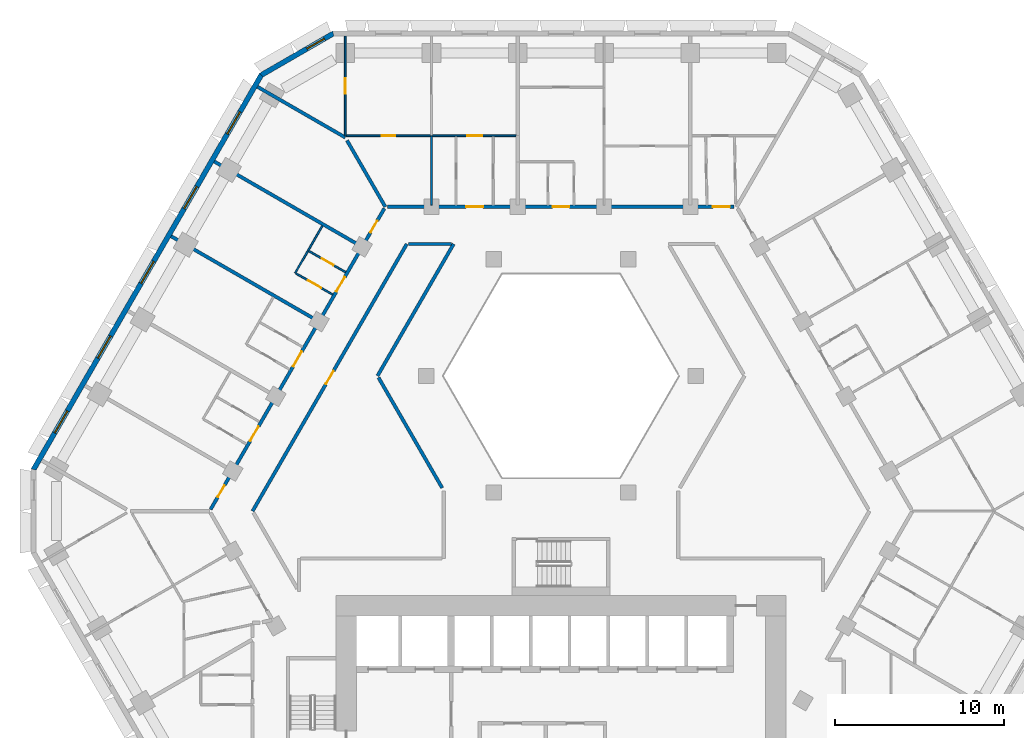
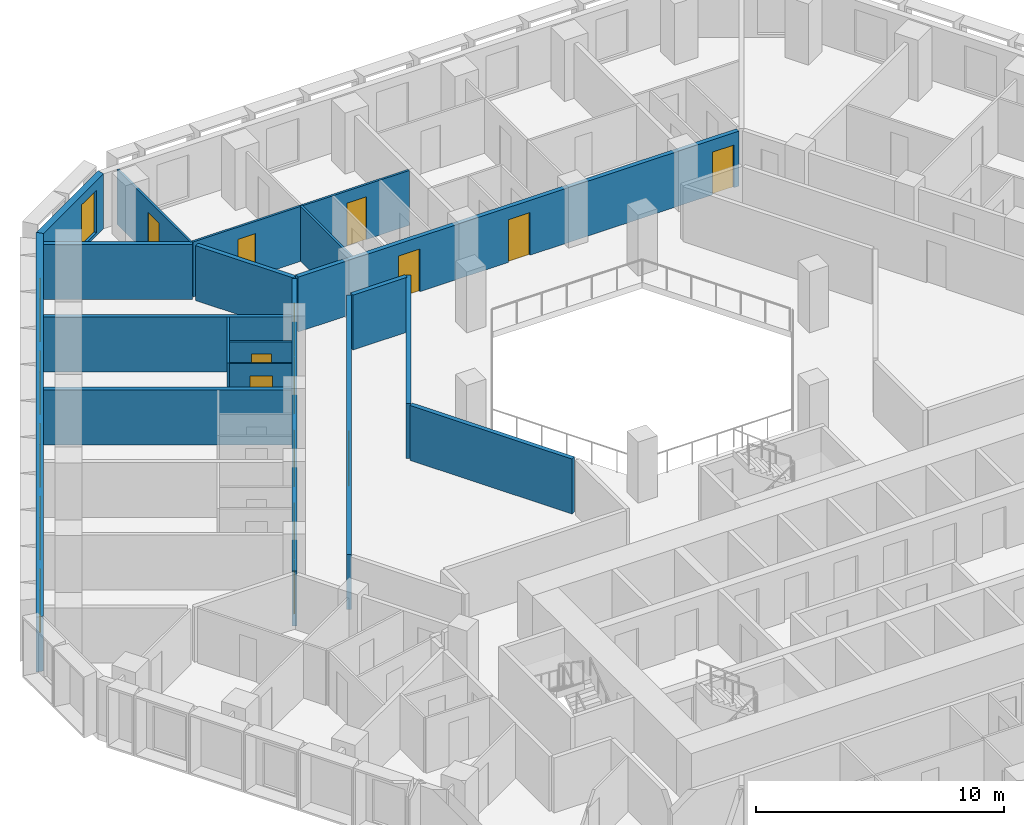
# One storey, part 8 of 16: 18 walls, 14 doors, 6 windows, 20 openings.
"""IFC4 building model written with IfcOpenShell, lengths in metres."""

from ifc_helpers import new_model, si_unit, direction, frame, frame_2d, origin, place, context, subcontext, project, spatial, polyline, rectangle, outline, extrude, material, layer, layer_set, type_object, element, fill, save


model = new_model("IFC4")

# Units and contexts
model_context = context("Model", 3, precision=1e-05, world=origin(), true_north=direction((0.0, 1.0)))
body_context = subcontext(model_context, "Body", "Model", "MODEL_VIEW")
ifc_project = project(units=[si_unit("LENGTHUNIT", "METRE"), si_unit("AREAUNIT", "SQUARE_METRE"), si_unit("VOLUMEUNIT", "CUBIC_METRE"), si_unit("PLANEANGLEUNIT", "RADIAN"), si_unit("MASSUNIT", "GRAM", prefix="KILO")], contexts=[model_context])

# Site, building, storey
site_placement = place(None, origin())
site = spatial("IfcSite", under=ifc_project, at=site_placement, CompositionType="ELEMENT")
building_placement = place(site_placement, origin())
building = spatial("IfcBuilding", under=site, at=building_placement, Name="Beryl Residences", CompositionType="ELEMENT")
storey_placement = place(building_placement, frame((0.0, 0.0, 38.39990234375)))
storey = spatial("IfcBuildingStorey", under=building, at=storey_placement, Name="L11", CompositionType="ELEMENT", Elevation=38.39990234375)

# Wall, opening, window
ifc_material_1 = material(Name="Composite metal panel with mineral wool insulation")
ifc_layer_1 = layer(ifc_material_1, 0.300048828125)
ifc_layer_set_1 = layer_set([ifc_layer_1], Name="ES1 pale metal composite panel wall 300 mm")
wall_type_1 = type_object("IfcWallType", Name="ES1 pale metal composite panel wall 300 mm", PredefinedType="SOLIDWALL", material=ifc_layer_set_1)
wall_1_placement = place(storey_placement, frame((-13.43505859375, 28.27001953125, 0.0), z_axis=(0.0, 0.0, 1.0), x_axis=(-0.866010750942, -0.50002537861, 0.0)))
wall_1 = element("IfcWall", 1, at=wall_1_placement, inside=storey, type_object=wall_type_1, Name="ES1 external wall L11 N-NW", PredefinedType="SOLIDWALL", context=body_context, shape_type="SweptSolid", body=[
    extrude(outline(polyline([(0.0, -0.14990234375), (4.999755859375, -0.14990234375), (4.91943359375, 0.14990234375), (0.080322265625, 0.14990234375), (0.0, -0.14990234375)])), origin(), (0.0, 0.0, 1.0), 2.7001953125),
])
opening_1_placement = place(wall_1_placement, frame((0.64990234375, 0.0, 0.14990234375)))
opening_1 = element("IfcOpeningElement", 2, at=opening_1_placement, cuts=wall_1, Name="Opening W2", PredefinedType="OPENING", context=body_context, shape_type="SweptSolid", body=[
    extrude(rectangle(XDim=1.199951171875, YDim=2.10009765625, at=frame_2d((0.60009765625, 1.050048828125))), frame((0.0, 0.159912109375, 0.0), z_axis=(0.0, -1.0, 0.0), x_axis=(1.0, 0.0, 0.0)), (0.0, 0.0, 1.0), 0.320068359375),
])
ifc_material_2 = material(Name="Aluminium and clear glass", Category="aluminium")
window_type_1 = type_object("IfcWindowType", Name="W2 chamfer window 1200 x 2100 mm", PartitioningType="SINGLE_PANEL", PredefinedType="WINDOW", material=ifc_material_2)
window_1_placement = place(opening_1_placement, origin())
window_1 = element("IfcWindow", 3, at=window_1_placement, inside=storey, type_object=window_type_1, Name="W2 window L11 N-NW 1", OverallHeight=2.10009765625, OverallWidth=1.199951171875, PartitioningType="SINGLE_PANEL", PredefinedType="WINDOW", context=body_context, shape_type="SweptSolid", body=[
    extrude(rectangle(XDim=1.199951171875, YDim=2.10009765625, at=frame_2d((0.60009765625, 1.050048828125))), frame((0.0, 0.030029296875, 0.0), z_axis=(0.0, -1.0, 0.0), x_axis=(1.0, 0.0, 0.0)), (0.0, 0.0, 1.0), 0.06005859375),
])
fill(opening_1, window_1)

# Wall, openings, windows
wall_2_placement = place(storey_placement, frame((-17.7099609375, 25.824951171875, 0.0), z_axis=(0.0, 0.0, 1.0), x_axis=(-0.500001938803, -0.866024284413, 0.0)))
wall_2 = element("IfcWall", 4, at=wall_2_placement, inside=storey, type_object=wall_type_1, Name="ES1 external wall L11 NW", PredefinedType="SOLIDWALL", context=body_context, shape_type="SweptSolid", body=[
    extrude(outline(polyline([(0.0, -0.14990234375), (27.02001953125, -0.14990234375), (26.939697265625, 0.14990234375), (0.080322265625, 0.14990234375), (0.0, -0.14990234375)])), origin(), (0.0, 0.0, 1.0), 2.7001953125),
])
opening_2_placement = place(wall_2_placement, frame((2.552978515625, 0.0, 0.14990234375)))
opening_2 = element("IfcOpeningElement", 5, at=opening_2_placement, cuts=wall_2, Name="Opening W1", PredefinedType="OPENING", context=body_context, shape_type="SweptSolid", body=[
    extrude(rectangle(XDim=1.5, YDim=2.10009765625, at=frame_2d((0.75, 1.050048828125))), frame((0.0, 0.159912109375, 0.0), z_axis=(0.0, -1.0, 0.0), x_axis=(1.0, 0.0, 0.0)), (0.0, 0.0, 1.0), 0.320068359375),
])
opening_3_placement = place(wall_2_placement, frame((7.657958984375, 0.0, 0.14990234375)))
opening_3 = element("IfcOpeningElement", 6, at=opening_3_placement, cuts=wall_2, Name="Opening W1", PredefinedType="OPENING", context=body_context, shape_type="SweptSolid", body=[
    extrude(rectangle(XDim=1.5, YDim=2.10009765625, at=frame_2d((0.75, 1.050048828125))), frame((0.0, 0.159912109375, 0.0), z_axis=(0.0, -1.0, 0.0), x_axis=(1.0, 0.0, 0.0)), (0.0, 0.0, 1.0), 0.320068359375),
])
opening_4_placement = place(wall_2_placement, frame((12.760986328125, 0.0, 0.14990234375)))
opening_4 = element("IfcOpeningElement", 7, at=opening_4_placement, cuts=wall_2, Name="Opening W1", PredefinedType="OPENING", context=body_context, shape_type="SweptSolid", body=[
    extrude(rectangle(XDim=1.5, YDim=2.10009765625, at=frame_2d((0.75, 1.050048828125))), frame((0.0, 0.159912109375, 0.0), z_axis=(0.0, -1.0, 0.0), x_axis=(1.0, 0.0, 0.0)), (0.0, 0.0, 1.0), 0.320068359375),
])
opening_5_placement = place(wall_2_placement, frame((17.864990234375, 0.0, 0.14990234375)))
opening_5 = element("IfcOpeningElement", 8, at=opening_5_placement, cuts=wall_2, Name="Opening W1", PredefinedType="OPENING", context=body_context, shape_type="SweptSolid", body=[
    extrude(rectangle(XDim=1.5, YDim=2.10009765625, at=frame_2d((0.75, 1.050048828125))), frame((0.0, 0.159912109375, 0.0), z_axis=(0.0, -1.0, 0.0), x_axis=(1.0, 0.0, 0.0)), (0.0, 0.0, 1.0), 0.320068359375),
])
opening_6_placement = place(wall_2_placement, frame((22.968994140625, 0.0, 0.14990234375)))
opening_6 = element("IfcOpeningElement", 9, at=opening_6_placement, cuts=wall_2, Name="Opening W1", PredefinedType="OPENING", context=body_context, shape_type="SweptSolid", body=[
    extrude(rectangle(XDim=1.5, YDim=2.10009765625, at=frame_2d((0.75, 1.050048828125))), frame((0.0, 0.159912109375, 0.0), z_axis=(0.0, -1.0, 0.0), x_axis=(1.0, 0.0, 0.0)), (0.0, 0.0, 1.0), 0.320068359375),
])
ifc_material_3 = material(Name="Aluminium and clear glass", Category="aluminium")
window_type_2 = type_object("IfcWindowType", Name="W1 cell window 1500 x 2100 mm", PartitioningType="SINGLE_PANEL", PredefinedType="WINDOW", material=ifc_material_3)
window_2_placement = place(opening_2_placement, origin())
window_2 = element("IfcWindow", 10, at=window_2_placement, inside=storey, type_object=window_type_2, Name="W1 window L11 NW 2", OverallHeight=2.10009765625, OverallWidth=1.5, PartitioningType="SINGLE_PANEL", PredefinedType="WINDOW", context=body_context, shape_type="SweptSolid", body=[
    extrude(rectangle(XDim=1.5, YDim=2.10009765625, at=frame_2d((0.75, 1.050048828125))), frame((0.0, 0.030029296875, 0.0), z_axis=(0.0, -1.0, 0.0), x_axis=(1.0, 0.0, 0.0)), (0.0, 0.0, 1.0), 0.06005859375),
])
fill(opening_2, window_2)
window_3_placement = place(opening_3_placement, origin())
window_3 = element("IfcWindow", 11, at=window_3_placement, inside=storey, type_object=window_type_2, Name="W1 window L11 NW 4", OverallHeight=2.10009765625, OverallWidth=1.5, PartitioningType="SINGLE_PANEL", PredefinedType="WINDOW", context=body_context, shape_type="SweptSolid", body=[
    extrude(rectangle(XDim=1.5, YDim=2.10009765625, at=frame_2d((0.75, 1.050048828125))), frame((0.0, 0.030029296875, 0.0), z_axis=(0.0, -1.0, 0.0), x_axis=(1.0, 0.0, 0.0)), (0.0, 0.0, 1.0), 0.06005859375),
])
fill(opening_3, window_3)
window_4_placement = place(opening_4_placement, origin())
window_4 = element("IfcWindow", 12, at=window_4_placement, inside=storey, type_object=window_type_2, Name="W1 window L11 NW 6", OverallHeight=2.10009765625, OverallWidth=1.5, PartitioningType="SINGLE_PANEL", PredefinedType="WINDOW", context=body_context, shape_type="SweptSolid", body=[
    extrude(rectangle(XDim=1.5, YDim=2.10009765625, at=frame_2d((0.75, 1.050048828125))), frame((0.0, 0.030029296875, 0.0), z_axis=(0.0, -1.0, 0.0), x_axis=(1.0, 0.0, 0.0)), (0.0, 0.0, 1.0), 0.06005859375),
])
fill(opening_4, window_4)
window_5_placement = place(opening_5_placement, origin())
window_5 = element("IfcWindow", 13, at=window_5_placement, inside=storey, type_object=window_type_2, Name="W1 window L11 NW 8", OverallHeight=2.10009765625, OverallWidth=1.5, PartitioningType="SINGLE_PANEL", PredefinedType="WINDOW", context=body_context, shape_type="SweptSolid", body=[
    extrude(rectangle(XDim=1.5, YDim=2.10009765625, at=frame_2d((0.75, 1.050048828125))), frame((0.0, 0.030029296875, 0.0), z_axis=(0.0, -1.0, 0.0), x_axis=(1.0, 0.0, 0.0)), (0.0, 0.0, 1.0), 0.06005859375),
])
fill(opening_5, window_5)
window_6_placement = place(opening_6_placement, origin())
window_6 = element("IfcWindow", 14, at=window_6_placement, inside=storey, type_object=window_type_2, Name="W1 window L11 NW 10", OverallHeight=2.10009765625, OverallWidth=1.5, PartitioningType="SINGLE_PANEL", PredefinedType="WINDOW", context=body_context, shape_type="SweptSolid", body=[
    extrude(rectangle(XDim=1.5, YDim=2.10009765625, at=frame_2d((0.75, 1.050048828125))), frame((0.0, 0.030029296875, 0.0), z_axis=(0.0, -1.0, 0.0), x_axis=(1.0, 0.0, 0.0)), (0.0, 0.0, 1.0), 0.06005859375),
])
fill(opening_6, window_6)

# Wall, opening, door
ifc_material_4 = material(Name="Gypsum board partition on steel studs", Category="steel")
ifc_layer_2 = layer(ifc_material_4, 0.10009765625)
ifc_layer_set_2 = layer_set([ifc_layer_2], Name="PT1 partition 100 mm gypsum board on steel studs")
wall_type_2 = type_object("IfcWallType", Name="PT1 partition 100 mm gypsum board on steel studs", PredefinedType="PARTITIONING", material=ifc_layer_set_2)
wall_3_placement = place(storey_placement, frame((-15.678955078125, 14.06103515625, 0.0), z_axis=(0.0, 0.0, 1.0), x_axis=(0.865916579361, -0.500188442078, 0.0)))
wall_3 = element("IfcWall", 15, at=wall_3_placement, inside=storey, type_object=wall_type_2, Name="Wall PT1 L11 021", PredefinedType="PARTITIONING", context=body_context, shape_type="SweptSolid", body=[
    extrude(rectangle(XDim=2.50927734375, YDim=0.10009765625, at=frame_2d((1.254638671875, 0.0))), origin(), (0.0, 0.0, 1.0), 2.7001953125),
])
opening_7_placement = place(wall_3_placement, frame((0.8291015625, 0.0, 0.0)))
opening_7 = element("IfcOpeningElement", 16, at=opening_7_placement, cuts=wall_3, Name="Opening D0403", PredefinedType="OPENING", context=body_context, shape_type="SweptSolid", body=[
    extrude(rectangle(XDim=0.89990234375, YDim=2.10009765625, at=frame_2d((0.449951171875, 1.050048828125))), frame((0.0, 0.06005859375, 0.0), z_axis=(0.0, -1.0, 0.0), x_axis=(1.0, 0.0, 0.0)), (0.0, 0.0, 1.0), 0.1201171875),
])
ifc_material_5 = material(Name="Timber door leaf", Category="wood")
door_type_1 = type_object("IfcDoorType", Name="D2 room door 900 x 2100 mm", OperationType="SINGLE_SWING_LEFT", PredefinedType="DOOR", material=ifc_material_5)
door_1_placement = place(opening_7_placement, origin())
door_1 = element("IfcDoor", 17, at=door_1_placement, inside=storey, type_object=door_type_1, Name="Door D0403 L11 001", OperationType="SINGLE_SWING_LEFT", OverallHeight=2.10009765625, OverallWidth=0.89990234375, PredefinedType="DOOR", context=body_context, shape_type="SweptSolid", body=[
    extrude(rectangle(XDim=0.89990234375, YDim=2.10009765625, at=frame_2d((0.449951171875, 1.050048828125))), frame((0.0, 0.02490234375, 0.0), z_axis=(0.0, -1.0, 0.0), x_axis=(1.0, 0.0, 0.0)), (0.0, 0.0, 1.0), 0.050048828125),
])
fill(opening_7, door_1)

wall_4_placement = place(storey_placement, frame((-14.9140625, 15.386962890625, 0.0), z_axis=(0.0, 0.0, 1.0), x_axis=(0.865983051302, -0.500073349477, 0.0)))
wall_4 = element("IfcWall", 18, at=wall_4_placement, inside=storey, type_object=wall_type_2, Name="Wall PT1 L11 022", PredefinedType="PARTITIONING", context=body_context, shape_type="SweptSolid", body=[
    extrude(rectangle(XDim=2.50927734375, YDim=0.10009765625, at=frame_2d((1.254638671875, 0.0))), origin(), (0.0, 0.0, 1.0), 2.7001953125),
])
opening_8_placement = place(wall_4_placement, frame((0.8798828125, 0.0, 0.0)))
opening_8 = element("IfcOpeningElement", 19, at=opening_8_placement, cuts=wall_4, Name="Opening D0404", PredefinedType="OPENING", context=body_context, shape_type="SweptSolid", body=[
    extrude(rectangle(XDim=0.800048828125, YDim=2.10009765625, at=frame_2d((0.39990234375, 1.050048828125))), frame((0.0, 0.06005859375, 0.0), z_axis=(0.0, -1.0, 0.0), x_axis=(1.0, 0.0, 0.0)), (0.0, 0.0, 1.0), 0.1201171875),
])
ifc_material_6 = material(Name="Timber door leaf", Category="wood")
door_type_2 = type_object("IfcDoorType", Name="D3 bathroom door 800 x 2100 mm", OperationType="SINGLE_SWING_LEFT", PredefinedType="DOOR", material=ifc_material_6)
door_2_placement = place(opening_8_placement, origin())
door_2 = element("IfcDoor", 20, at=door_2_placement, inside=storey, type_object=door_type_2, Name="Door D0404 L11 001", OperationType="SINGLE_SWING_RIGHT", OverallHeight=2.10009765625, OverallWidth=0.800048828125, PredefinedType="DOOR", context=body_context, shape_type="SweptSolid", body=[
    extrude(rectangle(XDim=0.800048828125, YDim=2.10009765625, at=frame_2d((0.39990234375, 1.050048828125))), frame((0.0, 0.02490234375, 0.0), z_axis=(0.0, -1.0, 0.0), x_axis=(1.0, 0.0, 0.0)), (0.0, 0.0, 1.0), 0.050048828125),
])
fill(opening_8, door_2)

# Wall, openings, doors
wall_5_placement = place(storey_placement, frame((-12.7109375, 22.199951171875, 0.0), z_axis=(0.0, 0.0, 1.0), x_axis=(1.0, 0.0, 0.0)))
wall_5 = element("IfcWall", 21, at=wall_5_placement, inside=storey, type_object=wall_type_2, Name="Wall PT1 L11 037", PredefinedType="PARTITIONING", context=body_context, shape_type="SweptSolid", body=[
    extrude(rectangle(XDim=10.057861328125, YDim=0.10009765625, at=frame_2d((5.02880859375, 0.0))), origin(), (0.0, 0.0, 1.0), 2.7001953125),
])
opening_9_placement = place(wall_5_placement, frame((7.156005859375, 0.0, 0.0)))
opening_9 = element("IfcOpeningElement", 22, at=opening_9_placement, cuts=wall_5, Name="Opening D0472", PredefinedType="OPENING", context=body_context, shape_type="SweptSolid", body=[
    extrude(rectangle(XDim=0.89990234375, YDim=2.10009765625, at=frame_2d((0.449951171875, 1.050048828125))), frame((0.0, 0.06005859375, 0.0), z_axis=(0.0, -1.0, 0.0), x_axis=(1.0, 0.0, 0.0)), (0.0, 0.0, 1.0), 0.1201171875),
])
opening_10_placement = place(wall_5_placement, frame((2.10205078125, 0.0, 0.0)))
opening_10 = element("IfcOpeningElement", 23, at=opening_10_placement, cuts=wall_5, Name="Opening D0475", PredefinedType="OPENING", context=body_context, shape_type="SweptSolid", body=[
    extrude(rectangle(XDim=0.800048828125, YDim=2.10009765625, at=frame_2d((0.39990234375, 1.050048828125))), frame((0.0, 0.06005859375, 0.0), z_axis=(0.0, -1.0, 0.0), x_axis=(1.0, 0.0, 0.0)), (0.0, 0.0, 1.0), 0.1201171875),
])
door_3_placement = place(opening_9_placement, origin())
door_3 = element("IfcDoor", 24, at=door_3_placement, inside=storey, type_object=door_type_1, Name="Door D0472 L11 001", OperationType="SINGLE_SWING_RIGHT", OverallHeight=2.10009765625, OverallWidth=0.89990234375, PredefinedType="DOOR", context=body_context, shape_type="SweptSolid", body=[
    extrude(rectangle(XDim=0.89990234375, YDim=2.10009765625, at=frame_2d((0.449951171875, 1.050048828125))), frame((0.0, 0.02490234375, 0.0), z_axis=(0.0, -1.0, 0.0), x_axis=(1.0, 0.0, 0.0)), (0.0, 0.0, 1.0), 0.050048828125),
])
fill(opening_9, door_3)
door_4_placement = place(opening_10_placement, origin())
door_4 = element("IfcDoor", 25, at=door_4_placement, inside=storey, type_object=door_type_2, Name="Door D0475 L11 001", OperationType="SINGLE_SWING_LEFT", OverallHeight=2.10009765625, OverallWidth=0.800048828125, PredefinedType="DOOR", context=body_context, shape_type="SweptSolid", body=[
    extrude(rectangle(XDim=0.800048828125, YDim=2.10009765625, at=frame_2d((0.39990234375, 1.050048828125))), frame((0.0, 0.02490234375, 0.0), z_axis=(0.0, -1.0, 0.0), x_axis=(1.0, 0.0, 0.0)), (0.0, 0.0, 1.0), 0.050048828125),
])
fill(opening_10, door_4)

# Walls
wall_6_placement = place(storey_placement, frame((-15.722900390625, 14.0869140625, 0.0), z_axis=(0.0, 0.0, 1.0), x_axis=(0.500204249835, 0.865907447969, 0.0)))
element("IfcWall", 26, at=wall_6_placement, inside=storey, type_object=wall_type_2, Name="Wall PT1 L11 041", PredefinedType="PARTITIONING", context=body_context, shape_type="SweptSolid", body=[
    extrude(rectangle(XDim=3.216552734375, YDim=0.10009765625, at=frame_2d((1.6083984375, 0.0))), origin(), (0.0, 0.0, 1.0), 2.7001953125),
])
wall_7_placement = place(storey_placement, frame((-7.656982421875, 18.10009765625, 0.0), z_axis=(0.0, 0.0, 1.0), x_axis=(0.0, 1.0, 0.0)))
element("IfcWall", 27, at=wall_7_placement, inside=storey, type_object=wall_type_2, Name="Wall PT1 L11 055", PredefinedType="PARTITIONING", context=body_context, shape_type="SweptSolid", body=[
    extrude(rectangle(XDim=4.099853515625, YDim=0.10009765625, at=frame_2d((2.0498046875, 0.0))), origin(), (0.0, 0.0, 1.0), 2.7001953125),
])

# Wall, opening, door
wall_8_placement = place(storey_placement, frame((-12.760986328125, 22.199951171875, 0.0), z_axis=(0.0, 0.0, 1.0), x_axis=(0.0, 1.0, 0.0)))
wall_8 = element("IfcWall", 28, at=wall_8_placement, inside=storey, type_object=wall_type_2, Name="Wall PT1 L11 057", PredefinedType="PARTITIONING", context=body_context, shape_type="SweptSolid", body=[
    extrude(rectangle(XDim=5.900146484375, YDim=0.10009765625, at=frame_2d((2.9501953125, 0.0))), origin(), (0.0, 0.0, 1.0), 2.7001953125),
])
opening_11_placement = place(wall_8_placement, frame((2.5, 0.0, 0.0)))
opening_11 = element("IfcOpeningElement", 29, at=opening_11_placement, cuts=wall_8, Name="Opening D0474", PredefinedType="OPENING", context=body_context, shape_type="SweptSolid", body=[
    extrude(rectangle(XDim=0.89990234375, YDim=2.10009765625, at=frame_2d((0.449951171875, 1.050048828125))), frame((0.0, 0.06005859375, 0.0), z_axis=(0.0, -1.0, 0.0), x_axis=(1.0, 0.0, 0.0)), (0.0, 0.0, 1.0), 0.1201171875),
])
door_5_placement = place(opening_11_placement, origin())
door_5 = element("IfcDoor", 30, at=door_5_placement, inside=storey, type_object=door_type_1, Name="Door D0474 L11 001", OperationType="SINGLE_SWING_RIGHT", OverallHeight=2.10009765625, OverallWidth=0.89990234375, PredefinedType="DOOR", context=body_context, shape_type="SweptSolid", body=[
    extrude(rectangle(XDim=0.89990234375, YDim=2.10009765625, at=frame_2d((0.449951171875, 1.050048828125))), frame((0.0, 0.02490234375, 0.0), z_axis=(0.0, -1.0, 0.0), x_axis=(1.0, 0.0, 0.0)), (0.0, 0.0, 1.0), 0.050048828125),
])
fill(opening_11, door_5)

# Walls
ifc_material_7 = material(Name="Acoustic double stud gypsum board wall")
ifc_layer_3 = layer(ifc_material_7, 0.199951171875)
ifc_layer_set_3 = layer_set([ifc_layer_3], Name="PT3 party wall 200 mm acoustic double stud")
wall_type_3 = type_object("IfcWallType", Name="PT3 party wall 200 mm acoustic double stud", PredefinedType="PARTITIONING", material=ifc_layer_set_3)
wall_9_placement = place(storey_placement, frame((-12.658935546875, 21.926025390625, 0.0), z_axis=(0.0, 0.0, 1.0), x_axis=(0.500025458316, -0.86601070492, 0.0)))
element("IfcWall", 31, at=wall_9_placement, inside=storey, type_object=wall_type_3, Name="Wall PT3 L11 001", PredefinedType="PARTITIONING", context=body_context, shape_type="SweptSolid", body=[
    extrude(rectangle(XDim=4.533447265625, YDim=0.199951171875, at=frame_2d((2.2666015625, 0.0))), origin(), (0.0, 0.0, 1.0), 2.7001953125),
])
wall_10_placement = place(storey_placement, frame((-20.508056640625, 20.678955078125, 0.0), z_axis=(0.0, 0.0, 1.0), x_axis=(0.866047370643, -0.499961950354, 0.0)))
element("IfcWall", 32, at=wall_10_placement, inside=storey, type_object=wall_type_3, Name="Wall PT3 L11 008", PredefinedType="PARTITIONING", context=body_context, shape_type="SweptSolid", body=[
    extrude(rectangle(XDim=10.000732421875, YDim=0.199951171875, at=frame_2d((5.00048828125, 0.0))), origin(), (0.0, 0.0, 1.0), 2.7001953125),
])
wall_11_placement = place(storey_placement, frame((-17.955078125, 25.09912109375, 0.0), z_axis=(0.0, 0.0, 1.0), x_axis=(0.86609140076, -0.499885672459, 0.0)))
element("IfcWall", 33, at=wall_11_placement, inside=storey, type_object=wall_type_3, Name="Wall PT3 L11 009", PredefinedType="PARTITIONING", context=body_context, shape_type="SweptSolid", body=[
    extrude(rectangle(XDim=5.99951171875, YDim=0.199951171875, at=frame_2d((2.999755859375, 0.0))), origin(), (0.0, 0.0, 1.0), 2.7001953125),
])
wall_12_placement = place(storey_placement, frame((-23.06005859375, 16.259033203125, 0.0), z_axis=(0.0, 0.0, 1.0), x_axis=(0.866047370643, -0.499961950354, 0.0)))
element("IfcWall", 34, at=wall_12_placement, inside=storey, type_object=wall_type_3, Name="Wall PT3 L11 010", PredefinedType="PARTITIONING", context=body_context, shape_type="SweptSolid", body=[
    extrude(rectangle(XDim=10.000732421875, YDim=0.199951171875, at=frame_2d((5.00048828125, 0.0))), origin(), (0.0, 0.0, 1.0), 2.7001953125),
])
ifc_material_8 = material(Name="Double stud gypsum board wall")
ifc_layer_4 = layer(ifc_material_8, 0.199951171875)
ifc_layer_set_4 = layer_set([ifc_layer_4], Name="PT4 corridor wall 200 mm double stud")
wall_type_4 = type_object("IfcWallType", Name="PT4 corridor wall 200 mm double stud", PredefinedType="PARTITIONING", material=ifc_layer_set_4)
wall_13_placement = place(storey_placement, frame((-10.7958984375, 7.89990234375, 0.0), z_axis=(0.0, 0.0, 1.0), x_axis=(0.499954271211, -0.866051803703, 0.0)))
element("IfcWall", 35, at=wall_13_placement, inside=storey, type_object=wall_type_4, Name="Wall PT4 L11 001", PredefinedType="PARTITIONING", context=body_context, shape_type="SweptSolid", body=[
    extrude(rectangle(XDim=7.536376953125, YDim=0.199951171875, at=frame_2d((3.76806640625, 0.0))), origin(), (0.0, 0.0, 1.0), 2.7001953125),
])
wall_14_placement = place(storey_placement, frame((-9.006103515625, 15.800048828125, 0.0), z_axis=(0.0, 0.0, 1.0), x_axis=(1.0, 0.0, 0.0)))
element("IfcWall", 36, at=wall_14_placement, inside=storey, type_object=wall_type_4, Name="Wall PT4 L11 016", PredefinedType="PARTITIONING", context=body_context, shape_type="SweptSolid", body=[
    extrude(rectangle(XDim=2.5400390625, YDim=0.199951171875, at=frame_2d((1.27001953125, 0.0))), origin(), (0.0, 0.0, 1.0), 2.7001953125),
])

# Wall, openings, doors
wall_15_placement = place(storey_placement, frame((-10.27587890625, 18.0, 0.0), z_axis=(0.0, 0.0, 1.0), x_axis=(1.0, 0.0, 0.0)))
wall_15 = element("IfcWall", 37, at=wall_15_placement, inside=storey, type_object=wall_type_4, Name="Wall PT4 L11 018", PredefinedType="PARTITIONING", context=body_context, shape_type="SweptSolid", body=[
    extrude(rectangle(XDim=20.5, YDim=0.199951171875, at=frame_2d((10.25, 0.0))), origin(), (0.0, 0.0, 1.0), 2.7001953125),
])
opening_12_placement = place(wall_15_placement, frame((19.264892578125, 0.0, 0.0)))
opening_12 = element("IfcOpeningElement", 38, at=opening_12_placement, cuts=wall_15, Name="Opening D0459", PredefinedType="OPENING", context=body_context, shape_type="SweptSolid", body=[
    extrude(rectangle(XDim=1.0, YDim=2.10009765625, at=frame_2d((0.5, 1.050048828125))), frame((0.0, 0.10986328125, 0.0), z_axis=(0.0, -1.0, 0.0), x_axis=(1.0, 0.0, 0.0)), (0.0, 0.0, 1.0), 0.219970703125),
])
opening_13_placement = place(wall_15_placement, frame((9.77490234375, 0.0, 0.0)))
opening_13 = element("IfcOpeningElement", 39, at=opening_13_placement, cuts=wall_15, Name="Opening D0463", PredefinedType="OPENING", context=body_context, shape_type="SweptSolid", body=[
    extrude(rectangle(XDim=1.0, YDim=2.10009765625, at=frame_2d((0.5, 1.050048828125))), frame((0.0, 0.10986328125, 0.0), z_axis=(0.0, -1.0, 0.0), x_axis=(1.0, 0.0, 0.0)), (0.0, 0.0, 1.0), 0.219970703125),
])
opening_14_placement = place(wall_15_placement, frame((4.6708984375, 0.0, 0.0)))
opening_14 = element("IfcOpeningElement", 40, at=opening_14_placement, cuts=wall_15, Name="Opening D0469", PredefinedType="OPENING", context=body_context, shape_type="SweptSolid", body=[
    extrude(rectangle(XDim=1.0, YDim=2.10009765625, at=frame_2d((0.5, 1.050048828125))), frame((0.0, 0.10986328125, 0.0), z_axis=(0.0, -1.0, 0.0), x_axis=(1.0, 0.0, 0.0)), (0.0, 0.0, 1.0), 0.219970703125),
])
ifc_material_9 = material(Name="Timber door leaf", Category="wood")
door_type_3 = type_object("IfcDoorType", Name="D1 flat entrance door 1000 x 2100 mm", OperationType="SINGLE_SWING_LEFT", PredefinedType="DOOR", material=ifc_material_9)
door_6_placement = place(opening_12_placement, origin())
door_6 = element("IfcDoor", 41, at=door_6_placement, inside=storey, type_object=door_type_3, Name="Door D0459 L11 001", OperationType="SINGLE_SWING_LEFT", OverallHeight=2.10009765625, OverallWidth=1.0, PredefinedType="DOOR", context=body_context, shape_type="SweptSolid", body=[
    extrude(rectangle(XDim=1.0, YDim=2.10009765625, at=frame_2d((0.5, 1.050048828125))), frame((0.0, 0.02490234375, 0.0), z_axis=(0.0, -1.0, 0.0), x_axis=(1.0, 0.0, 0.0)), (0.0, 0.0, 1.0), 0.050048828125),
])
fill(opening_12, door_6)
door_7_placement = place(opening_13_placement, origin())
door_7 = element("IfcDoor", 42, at=door_7_placement, inside=storey, type_object=door_type_3, Name="Door D0463 L11 001", OperationType="SINGLE_SWING_LEFT", OverallHeight=2.10009765625, OverallWidth=1.0, PredefinedType="DOOR", context=body_context, shape_type="SweptSolid", body=[
    extrude(rectangle(XDim=1.0, YDim=2.10009765625, at=frame_2d((0.5, 1.050048828125))), frame((0.0, 0.02490234375, 0.0), z_axis=(0.0, -1.0, 0.0), x_axis=(1.0, 0.0, 0.0)), (0.0, 0.0, 1.0), 0.050048828125),
])
fill(opening_13, door_7)
door_8_placement = place(opening_14_placement, origin())
door_8 = element("IfcDoor", 43, at=door_8_placement, inside=storey, type_object=door_type_3, Name="Door D0469 L11 001", OperationType="SINGLE_SWING_LEFT", OverallHeight=2.10009765625, OverallWidth=1.0, PredefinedType="DOOR", context=body_context, shape_type="SweptSolid", body=[
    extrude(rectangle(XDim=1.0, YDim=2.10009765625, at=frame_2d((0.5, 1.050048828125))), frame((0.0, 0.02490234375, 0.0), z_axis=(0.0, -1.0, 0.0), x_axis=(1.0, 0.0, 0.0)), (0.0, 0.0, 1.0), 0.050048828125),
])
fill(opening_14, door_8)

# Wall
wall_16_placement = place(storey_placement, frame((-10.85400390625, 8.0, 0.0), z_axis=(0.0, 0.0, 1.0), x_axis=(0.499964141897, 0.86604610548, 0.0)))
element("IfcWall", 44, at=wall_16_placement, inside=storey, type_object=wall_type_4, Name="Wall PT4 L11 022", PredefinedType="PARTITIONING", context=body_context, shape_type="SweptSolid", body=[
    extrude(rectangle(XDim=9.006591796875, YDim=0.199951171875, at=frame_2d((4.50341796875, 0.0))), origin(), (0.0, 0.0, 1.0), 2.7001953125),
])

# Wall, opening, door
wall_17_placement = place(storey_placement, frame((-18.243896484375, -0.0009765625, 0.0), z_axis=(0.0, 0.0, 1.0), x_axis=(0.499962999376, 0.866046765051, 0.0)))
wall_17 = element("IfcWall", 45, at=wall_17_placement, inside=storey, type_object=wall_type_4, Name="Wall PT4 L11 023", PredefinedType="PARTITIONING", context=body_context, shape_type="SweptSolid", body=[
    extrude(rectangle(XDim=18.2451171875, YDim=0.199951171875, at=frame_2d((9.12255859375, 0.0))), origin(), (0.0, 0.0, 1.0), 2.7001953125),
])
opening_15_placement = place(wall_17_placement, frame((8.672119140625, 0.0, 0.0)))
opening_15 = element("IfcOpeningElement", 46, at=opening_15_placement, cuts=wall_17, Name="Opening D0476", PredefinedType="OPENING", context=body_context, shape_type="SweptSolid", body=[
    extrude(rectangle(XDim=0.89990234375, YDim=2.10009765625, at=frame_2d((0.449951171875, 1.050048828125))), frame((0.0, 0.10986328125, 0.0), z_axis=(0.0, -1.0, 0.0), x_axis=(1.0, 0.0, 0.0)), (0.0, 0.0, 1.0), 0.219970703125),
])
door_9_placement = place(opening_15_placement, origin())
door_9 = element("IfcDoor", 47, at=door_9_placement, inside=storey, type_object=door_type_1, Name="Door D0476 L11 001", OperationType="SINGLE_SWING_RIGHT", OverallHeight=2.10009765625, OverallWidth=0.89990234375, PredefinedType="DOOR", context=body_context, shape_type="SweptSolid", body=[
    extrude(rectangle(XDim=0.89990234375, YDim=2.10009765625, at=frame_2d((0.449951171875, 1.050048828125))), frame((0.0, 0.02490234375, 0.0), z_axis=(0.0, -1.0, 0.0), x_axis=(1.0, 0.0, 0.0)), (0.0, 0.0, 1.0), 0.050048828125),
])
fill(opening_15, door_9)

# Wall, openings, doors
wall_18_placement = place(storey_placement, frame((-20.72705078125, 0.09912109375, 0.0), z_axis=(0.0, 0.0, 1.0), x_axis=(0.499993204491, 0.866029327138, 0.0)))
wall_18 = element("IfcWall", 48, at=wall_18_placement, inside=storey, type_object=wall_type_4, Name="Wall PT4 L11 024", PredefinedType="PARTITIONING", context=body_context, shape_type="SweptSolid", body=[
    extrude(rectangle(XDim=20.554443359375, YDim=0.199951171875, at=frame_2d((10.27734375, 0.0))), origin(), (0.0, 0.0, 1.0), 2.7001953125),
])
opening_16_placement = place(wall_18_placement, frame((18.916015625, 0.0, 0.0)))
opening_16 = element("IfcOpeningElement", 49, at=opening_16_placement, cuts=wall_18, Name="Opening D0401", PredefinedType="OPENING", context=body_context, shape_type="SweptSolid", body=[
    extrude(rectangle(XDim=0.800048828125, YDim=2.10009765625, at=frame_2d((0.39990234375, 1.050048828125))), frame((0.0, 0.10986328125, 0.0), z_axis=(0.0, -1.0, 0.0), x_axis=(1.0, 0.0, 0.0)), (0.0, 0.0, 1.0), 0.219970703125),
])
opening_17_placement = place(wall_18_placement, frame((14.8798828125, 0.0, 0.0)))
opening_17 = element("IfcOpeningElement", 50, at=opening_17_placement, cuts=wall_18, Name="Opening D0402", PredefinedType="OPENING", context=body_context, shape_type="SweptSolid", body=[
    extrude(rectangle(XDim=1.0, YDim=2.10009765625, at=frame_2d((0.5, 1.050048828125))), frame((0.0, 0.10986328125, 0.0), z_axis=(0.0, -1.0, 0.0), x_axis=(1.0, 0.0, 0.0)), (0.0, 0.0, 1.0), 0.219970703125),
])
opening_18_placement = place(wall_18_placement, frame((9.77587890625, 0.0, 0.0)))
opening_18 = element("IfcOpeningElement", 51, at=opening_18_placement, cuts=wall_18, Name="Opening D0405", PredefinedType="OPENING", context=body_context, shape_type="SweptSolid", body=[
    extrude(rectangle(XDim=1.0, YDim=2.10009765625, at=frame_2d((0.5, 1.050048828125))), frame((0.0, 0.10986328125, 0.0), z_axis=(0.0, -1.0, 0.0), x_axis=(1.0, 0.0, 0.0)), (0.0, 0.0, 1.0), 0.219970703125),
])
opening_19_placement = place(wall_18_placement, frame((4.673095703125, 0.0, 0.0)))
opening_19 = element("IfcOpeningElement", 52, at=opening_19_placement, cuts=wall_18, Name="Opening D0408", PredefinedType="OPENING", context=body_context, shape_type="SweptSolid", body=[
    extrude(rectangle(XDim=1.0, YDim=2.10009765625, at=frame_2d((0.5, 1.050048828125))), frame((0.0, 0.10986328125, 0.0), z_axis=(0.0, -1.0, 0.0), x_axis=(1.0, 0.0, 0.0)), (0.0, 0.0, 1.0), 0.219970703125),
])
opening_20_placement = place(wall_18_placement, frame((0.837890625, 0.0, 0.0)))
opening_20 = element("IfcOpeningElement", 53, at=opening_20_placement, cuts=wall_18, Name="Opening D0411", PredefinedType="OPENING", context=body_context, shape_type="SweptSolid", body=[
    extrude(rectangle(XDim=0.800048828125, YDim=2.10009765625, at=frame_2d((0.39990234375, 1.050048828125))), frame((0.0, 0.10986328125, 0.0), z_axis=(0.0, -1.0, 0.0), x_axis=(1.0, 0.0, 0.0)), (0.0, 0.0, 1.0), 0.219970703125),
])
door_10_placement = place(opening_17_placement, origin())
door_10 = element("IfcDoor", 54, at=door_10_placement, inside=storey, type_object=door_type_3, Name="Door D0402 L11 001", OperationType="SINGLE_SWING_RIGHT", OverallHeight=2.10009765625, OverallWidth=1.0, PredefinedType="DOOR", context=body_context, shape_type="SweptSolid", body=[
    extrude(rectangle(XDim=1.0, YDim=2.10009765625, at=frame_2d((0.5, 1.050048828125))), frame((0.0, 0.02490234375, 0.0), z_axis=(0.0, -1.0, 0.0), x_axis=(1.0, 0.0, 0.0)), (0.0, 0.0, 1.0), 0.050048828125),
])
fill(opening_17, door_10)
door_11_placement = place(opening_18_placement, origin())
door_11 = element("IfcDoor", 55, at=door_11_placement, inside=storey, type_object=door_type_3, Name="Door D0405 L11 001", OperationType="SINGLE_SWING_LEFT", OverallHeight=2.10009765625, OverallWidth=1.0, PredefinedType="DOOR", context=body_context, shape_type="SweptSolid", body=[
    extrude(rectangle(XDim=1.0, YDim=2.10009765625, at=frame_2d((0.5, 1.050048828125))), frame((0.0, 0.02490234375, 0.0), z_axis=(0.0, -1.0, 0.0), x_axis=(1.0, 0.0, 0.0)), (0.0, 0.0, 1.0), 0.050048828125),
])
fill(opening_18, door_11)
door_12_placement = place(opening_19_placement, origin())
door_12 = element("IfcDoor", 56, at=door_12_placement, inside=storey, type_object=door_type_3, Name="Door D0408 L11 001", OperationType="SINGLE_SWING_RIGHT", OverallHeight=2.10009765625, OverallWidth=1.0, PredefinedType="DOOR", context=body_context, shape_type="SweptSolid", body=[
    extrude(rectangle(XDim=1.0, YDim=2.10009765625, at=frame_2d((0.5, 1.050048828125))), frame((0.0, 0.02490234375, 0.0), z_axis=(0.0, -1.0, 0.0), x_axis=(1.0, 0.0, 0.0)), (0.0, 0.0, 1.0), 0.050048828125),
])
fill(opening_19, door_12)
door_13_placement = place(opening_16_placement, origin())
door_13 = element("IfcDoor", 57, at=door_13_placement, inside=storey, type_object=door_type_2, Name="Door D0401 L11 001", OperationType="SINGLE_SWING_LEFT", OverallHeight=2.10009765625, OverallWidth=0.800048828125, PredefinedType="DOOR", context=body_context, shape_type="SweptSolid", body=[
    extrude(rectangle(XDim=0.800048828125, YDim=2.10009765625, at=frame_2d((0.39990234375, 1.050048828125))), frame((0.0, 0.02490234375, 0.0), z_axis=(0.0, -1.0, 0.0), x_axis=(1.0, 0.0, 0.0)), (0.0, 0.0, 1.0), 0.050048828125),
])
fill(opening_16, door_13)
door_14_placement = place(opening_20_placement, origin())
door_14 = element("IfcDoor", 58, at=door_14_placement, inside=storey, type_object=door_type_2, Name="Door D0411 L11 001", OperationType="SINGLE_SWING_LEFT", OverallHeight=2.10009765625, OverallWidth=0.800048828125, PredefinedType="DOOR", context=body_context, shape_type="SweptSolid", body=[
    extrude(rectangle(XDim=0.800048828125, YDim=2.10009765625, at=frame_2d((0.39990234375, 1.050048828125))), frame((0.0, 0.02490234375, 0.0), z_axis=(0.0, -1.0, 0.0), x_axis=(1.0, 0.0, 0.0)), (0.0, 0.0, 1.0), 0.050048828125),
])
fill(opening_20, door_14)

save(model, "model.ifc")
